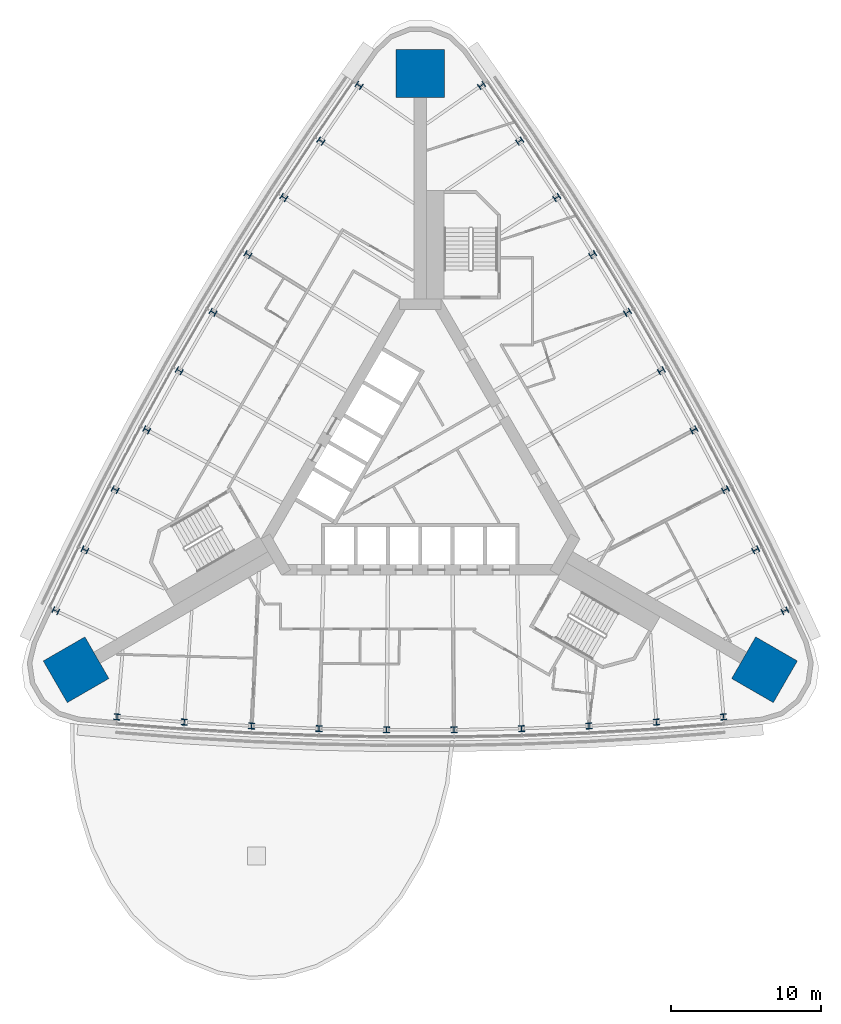
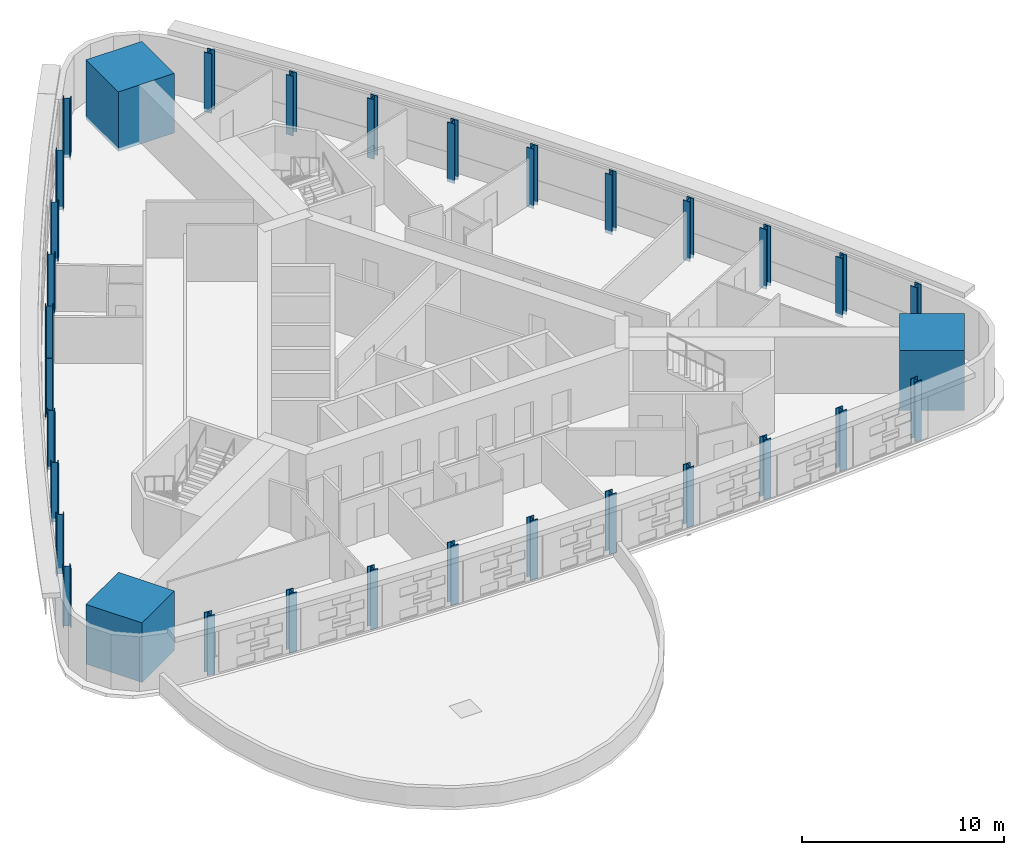
# One storey, part 1 of 15: 33 columns.
"""IFC4 building model written with IfcOpenShell, lengths in metres."""

from ifc_helpers import new_model, si_unit, direction, frame, origin, origin_2d, place, context, subcontext, project, spatial, rectangle, i_section, extrude, material, material_profile, profile_set, type_object, element, save


model = new_model("IFC4")

# Units and contexts
model_context = context("Model", 3, precision=1e-05, world=origin(), true_north=direction((0.0, 1.0)))
body_context = subcontext(model_context, "Body", "Model", "MODEL_VIEW")
ifc_project = project(units=[si_unit("LENGTHUNIT", "METRE"), si_unit("AREAUNIT", "SQUARE_METRE"), si_unit("VOLUMEUNIT", "CUBIC_METRE"), si_unit("PLANEANGLEUNIT", "RADIAN"), si_unit("MASSUNIT", "GRAM", prefix="KILO")], contexts=[model_context])

# Site, building, storey
site_placement = place(None, origin())
site = spatial("IfcSite", under=ifc_project, at=site_placement, CompositionType="ELEMENT")
building_placement = place(site_placement, origin())
building = spatial("IfcBuilding", under=site, at=building_placement, Name="Noor Cloister Tower", CompositionType="ELEMENT")
storey_placement = place(building_placement, frame((0.0, 0.0, 69.0)))
storey = spatial("IfcBuildingStorey", under=building, at=storey_placement, Name="L17", CompositionType="ELEMENT", Elevation=69.0)

# Columns
ifc_material_1 = material(Name="Steel ASTM A992 Gr 50", Category="steel")
ifc_material_profile_1 = material_profile(ifc_material_1, i_section(OverallWidth=0.404052734375, OverallDepth=0.406005859375, WebThickness=0.027099609375, FlangeThickness=0.043701171875, FilletRadius=0.01513671875, at=origin_2d()), Name="W360x347")
ifc_profile_set_1 = profile_set([ifc_material_profile_1], Name="Steel ASTM A992 Gr 50")
column_type_1 = type_object("IfcColumnType", Name="Column W360x347", PredefinedType="COLUMN", material=ifc_profile_set_1)
for number, where, z_axis, x_axis, name in (
    (1, (-4.073486328125, 25.650146484375, -0.199951171875), (0.0, 0.0, 1.0), (-0.573206850439, -0.819410706917, 0.0), "Column NW 01 L17"),
    (2, (-6.611328125, 21.94677734375, -0.199951171875), (0.0, 0.0, 1.0), (-0.557292844924, -0.830316015139, 0.0), "Column NW 02 L17"),
    (3, (-9.076904296875, 18.1953125, -0.199951171875), (0.0, 0.0, 1.0), (-0.541171425422, -0.840912295252, 0.0), "Column NW 03 L17"),
    (4, (-11.469970703125, 14.39697265625, -0.199951171875), (0.0, 0.0, 1.0), (-0.524848592026, -0.851195603518, 0.0), "Column NW 04 L17"),
    (5, (-13.789306640625, 10.55322265625, -0.199951171875), (0.0, 0.0, 1.0), (-0.508330419788, -0.861162112681, 0.0), "Column NW 05 L17"),
    (6, (-16.033935546875, 6.665283203125, -0.199951171875), (0.0, 0.0, 1.0), (-0.491623056465, -0.870808113394, 0.0), "Column NW 06 L17"),
    (7, (-18.203125, 2.73486328125, -0.199951171875), (0.0, 0.0, 1.0), (-0.474732720223, -0.880130015594, 0.0), "Column NW 07 L17"),
    (8, (-20.296142578125, -1.23681640625, -0.199951171875), (0.0, 0.0, 1.0), (-0.457665697332, -0.889124349844, 0.0), "Column NW 08 L17"),
    (9, (-22.31201171875, -5.248046875, -0.199951171875), (0.0, 0.0, 1.0), (-0.440428339818, -0.897787768621, 0.0), "Column NW 09 L17"),
    (10, (-24.25048828125, -9.29736328125, -0.199951171875), (0.0, 0.0, 1.0), (-0.423027063103, -0.906117047562, 0.0), "Column NW 10 L17"),
    (11, (-20.177001953125, -16.352783203125, -0.199951171875), (0.0, 0.0, 1.0), (0.996233913542, -0.086706340645, 0.0), "Column S 01 L17"),
    (12, (-15.700927734375, -16.698974609375, -0.199951171875), (0.0, 0.0, 1.0), (0.997721184742, -0.067471753482, 0.0), "Column S 02 L17"),
    (13, (-11.21923828125, -16.95849609375, -0.199951171875), (0.0, 0.0, 1.0), (0.998837122754, -0.048212054592, 0.0), "Column S 03 L17"),
    (14, (-6.733154296875, -17.1318359375, -0.199951171875), (0.0, 0.0, 1.0), (0.999581312249, -0.028934412076, 0.0), "Column S 04 L17"),
    (15, (-2.24462890625, -17.21826171875, -0.199951171875), (0.0, 0.0, 1.0), (0.999953476253, -0.009646000712, 0.0), "Column S 05 L17"),
    (16, (2.24462890625, -17.21826171875, -0.199951171875), (0.0, 0.0, 1.0), (0.999953476253, 0.009646000712, 0.0), "Column S 06 L17"),
    (17, (6.733154296875, -17.1318359375, -0.199951171875), (0.0, 0.0, 1.0), (0.999581312249, 0.028934412076, 0.0), "Column S 07 L17"),
    (18, (11.21923828125, -16.95849609375, -0.199951171875), (0.0, 0.0, 1.0), (0.998837122754, 0.048212054592, 0.0), "Column S 08 L17"),
    (19, (15.700927734375, -16.698974609375, -0.199951171875), (0.0, 0.0, 1.0), (0.997721184742, 0.067471753482, 0.0), "Column S 09 L17"),
    (20, (20.177001953125, -16.352783203125, -0.199951171875), (0.0, 0.0, 1.0), (0.996233913542, 0.086706340645, 0.0), "Column S 10 L17"),
    (21, (24.25048828125, -9.29736328125, -0.199951171875), (0.0, 0.0, 1.0), (-0.423027063103, 0.906117047562, 0.0), "Column NE 01 L17"),
    (22, (22.31201171875, -5.248046875, -0.199951171875), (0.0, 0.0, 1.0), (-0.440428339818, 0.897787768621, 0.0), "Column NE 02 L17"),
    (23, (20.296142578125, -1.23681640625, -0.199951171875), (0.0, 0.0, 1.0), (-0.457665697332, 0.889124349844, 0.0), "Column NE 03 L17"),
    (24, (18.203125, 2.73486328125, -0.199951171875), (0.0, 0.0, 1.0), (-0.474732720223, 0.880130015594, 0.0), "Column NE 04 L17"),
    (25, (16.033935546875, 6.665283203125, -0.199951171875), (0.0, 0.0, 1.0), (-0.491623056465, 0.870808113394, 0.0), "Column NE 05 L17"),
    (26, (13.789306640625, 10.55322265625, -0.199951171875), (0.0, 0.0, 1.0), (-0.508330419788, 0.861162112681, 0.0), "Column NE 06 L17"),
    (27, (11.469970703125, 14.39697265625, -0.199951171875), (0.0, 0.0, 1.0), (-0.524848592026, 0.851195603518, 0.0), "Column NE 07 L17"),
    (28, (9.076904296875, 18.1953125, -0.199951171875), (0.0, 0.0, 1.0), (-0.541171425422, 0.840912295252, 0.0), "Column NE 08 L17"),
    (29, (6.611328125, 21.94677734375, -0.199951171875), (0.0, 0.0, 1.0), (-0.557292844924, 0.830316015139, 0.0), "Column NE 09 L17"),
    (30, (4.073486328125, 25.650146484375, -0.199951171875), (0.0, 0.0, 1.0), (-0.573206850439, 0.819410706917, 0.0), "Column NE 10 L17"),
):
    element("IfcColumn", number, at=place(storey_placement, frame(where, z_axis=z_axis, x_axis=x_axis)), inside=storey, type_object=column_type_1, Name=name, PredefinedType="COLUMN", context=body_context, shape_type="SweptSolid", body=[
        extrude(i_section(OverallWidth=0.404052734375, OverallDepth=0.406005859375, WebThickness=0.027099609375, FlangeThickness=0.043701171875, FilletRadius=0.01513671875, at=origin_2d()), origin(), (0.0, 0.0, 1.0), 3.599853515625),
    ])
ifc_material_2 = material(Name="Concrete C80/95", Category="concrete")
ifc_material_profile_2 = material_profile(ifc_material_2, rectangle(XDim=3.199951171875, YDim=3.199951171875, at=origin_2d()), Name="RC 3200x3200")
ifc_profile_set_2 = profile_set([ifc_material_profile_2], Name="Concrete C80/95")
column_type_2 = type_object("IfcColumnType", Name="Corner pier 3200 x 3200 C80/95", PredefinedType="COLUMN", material=ifc_profile_set_2)
for number, where, z_axis, x_axis, name in (
    (31, (0.0, 26.43798828125, -0.199951171875), (0.0, 0.0, 1.0), (0.0, 1.0, 0.0), "Corner pier N L17"),
    (32, (-22.89599609375, -13.218994140625, -0.199951171875), (0.0, 0.0, 1.0), (-0.866025403784, -0.5, 0.0), "Corner pier SW L17"),
    (33, (22.89599609375, -13.218994140625, -0.199951171875), (0.0, 0.0, 1.0), (0.866025403784, -0.5, 0.0), "Corner pier SE L17"),
):
    element("IfcColumn", number, at=place(storey_placement, frame(where, z_axis=z_axis, x_axis=x_axis)), inside=storey, type_object=column_type_2, Name=name, PredefinedType="COLUMN", context=body_context, shape_type="SweptSolid", body=[
        extrude(rectangle(XDim=3.199951171875, YDim=3.199951171875, at=origin_2d()), origin(), (0.0, 0.0, 1.0), 3.599853515625),
    ])

save(model, "model.ifc")
